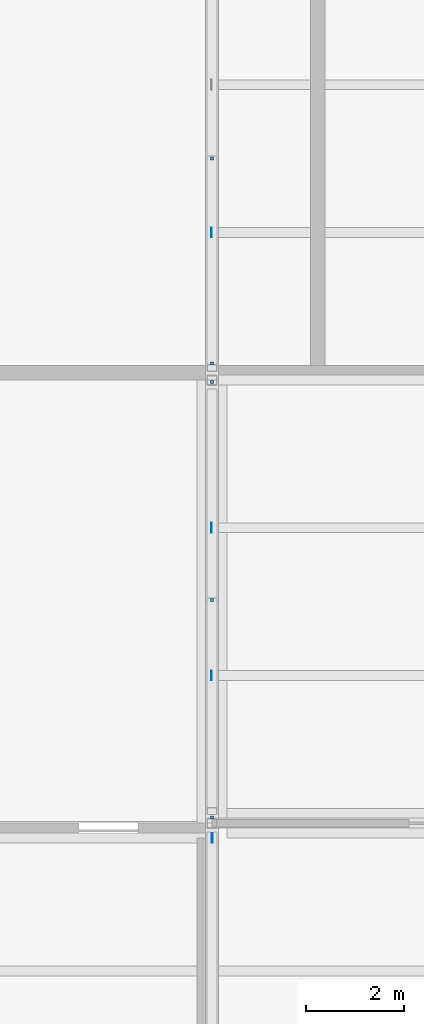
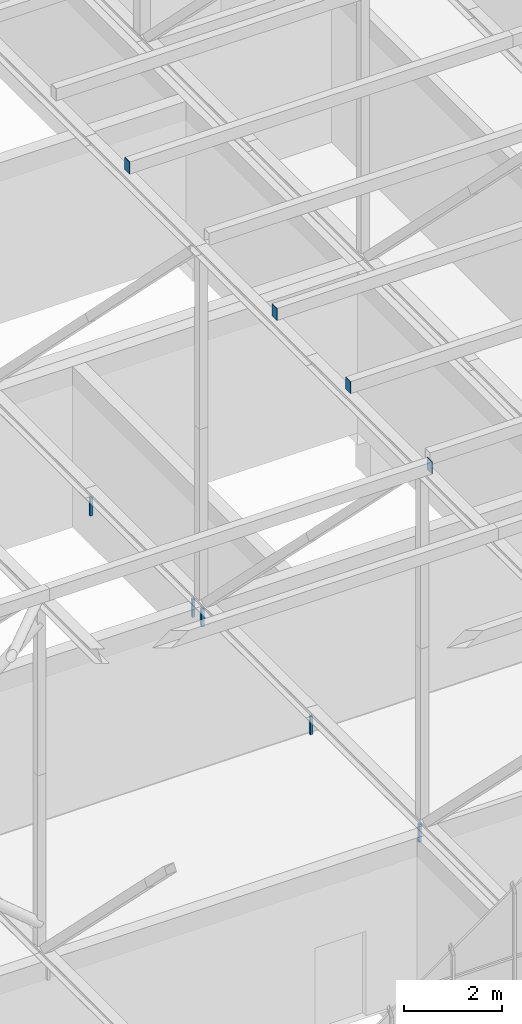
# One storey, part 210 of 646: 9 discrete accessories.
"""IFC4 building model written with IfcOpenShell, lengths in metres."""

import ifcopenshell
import ifcopenshell.guid

model = None  # the IFC model being written
_history = None  # IfcOwnerHistory: only IFC2X3 demands one
_inside = {}  # id of a spatial element -> (the spatial element, [elements in it])
_under = {}  # id of a project, library or spatial element -> (it, [spatial elements below it])
_declared = {}  # id of a project -> (the project, [libraries it declares])
_typed = {}  # id of a type object -> (the type object, [elements of that type])
_made_of = {}  # id of a material, layer set ... -> (it, [elements and type objects made of it])


def new_model(schema):
    """Start an empty IFC model of exactly this schema.

    Asked for "IFC4X3", IfcOpenShell would pick the latest addendum, in which some entities
    have other attributes; the version numbers below select the first issue.
    IFC2X3 requires an IfcOwnerHistory on every rooted entity: one is made here for all.
    """
    global model, _history
    if schema == "IFC4X3":
        model = ifcopenshell.file(schema_version=(4, 3, 0, 0))
    else:
        model = ifcopenshell.file(schema=schema)
    _inside.clear()
    _under.clear()
    _declared.clear()
    _typed.clear()
    _made_of.clear()
    _history = None
    if model.schema == "IFC2X3":
        org = make("IfcOrganization", Name="unknown")
        user = make(
            "IfcPersonAndOrganization",
            ThePerson=make("IfcPerson", FamilyName="unknown"),
            TheOrganization=org,
        )
        app = make(
            "IfcApplication",
            ApplicationDeveloper=org,
            Version="unknown",
            ApplicationFullName="unknown",
            ApplicationIdentifier="unknown",
        )
        _history = make(
            "IfcOwnerHistory",
            OwningUser=user,
            OwningApplication=app,
            ChangeAction="ADDED",
            CreationDate=0,
        )
    return model


def make(cls, **values):
    """One entity of the class cls with the attributes given. An attribute that is None is left unset."""
    return model.create_entity(
        cls, **{name: value for name, value in values.items() if value is not None}
    )


def rooted(cls, **values):
    """An entity with a GlobalId (a new one), such as an element, a storey or a relation."""
    return make(cls, GlobalId=ifcopenshell.guid.new(), OwnerHistory=_history, **values)


def si_unit(unit_type, name, prefix=None):
    """IfcSIUnit, for example si_unit("LENGTHUNIT", "METRE", prefix="MILLI")."""
    return make("IfcSIUnit", UnitType=unit_type, Prefix=prefix, Name=name)


def assignment(units):
    """IfcUnitAssignment: the units of a project."""
    return None if units is None else make("IfcUnitAssignment", Units=units)


def point(xyz):
    """IfcCartesianPoint."""
    return None if xyz is None else make("IfcCartesianPoint", Coordinates=xyz)


def direction(xyz):
    """IfcDirection."""
    return None if xyz is None else make("IfcDirection", DirectionRatios=xyz)


def frame(location, z_axis=None, x_axis=None):
    """IfcAxis2Placement3D, a coordinate frame: its origin and axes. An axis left out is left unset."""
    return make(
        "IfcAxis2Placement3D",
        Location=point(location),
        Axis=direction(z_axis),
        RefDirection=direction(x_axis),
    )


def frame_2d(location, x_axis=None):
    """IfcAxis2Placement2D, a coordinate frame in the plane: its origin and x axis."""
    return make(
        "IfcAxis2Placement2D", Location=point(location), RefDirection=direction(x_axis)
    )


def origin():
    """The frame at (0, 0, 0) with its axes left unset."""
    return frame((0.0, 0.0, 0.0))


def origin_2d():
    """The frame at (0, 0) in the plane with its x axis left unset."""
    return frame_2d((0.0, 0.0))


def place(relative_to, where):
    """IfcLocalPlacement: puts the frame where relative to a parent placement (None: the world)."""
    return make(
        "IfcLocalPlacement", PlacementRelTo=relative_to, RelativePlacement=where
    )


def context(
    kind, dimensions, precision=None, world=None, true_north=None, identifier=None
):
    """IfcGeometricRepresentationContext, for example the 3D "Model" context."""
    return make(
        "IfcGeometricRepresentationContext",
        ContextIdentifier=identifier,
        ContextType=kind,
        CoordinateSpaceDimension=dimensions,
        Precision=precision,
        WorldCoordinateSystem=world,
        TrueNorth=true_north,
    )


def subcontext(parent, identifier, kind, view, scale=None):
    """IfcGeometricRepresentationSubContext, for example "Body" below "Model"."""
    return make(
        "IfcGeometricRepresentationSubContext",
        ContextIdentifier=identifier,
        ContextType=kind,
        ParentContext=parent,
        TargetScale=scale,
        TargetView=view,
    )


def project(units=None, contexts=None):
    """IfcProject with its units and contexts."""
    return rooted(
        "IfcProject",
        Name="project",
        RepresentationContexts=contexts,
        UnitsInContext=assignment(units),
    )


def spatial(cls, under=None, at=None, **own):
    """A site, building, storey or space (cls), placed at a placement, below another one or the project."""
    s = rooted(cls, ObjectPlacement=at, **own)
    if under is not None:
        _under.setdefault(under.id(), (under, []))[1].append(s)
    return s


def profile(cls, at=None, kind="AREA", **sizes):
    """A parametric profile (cls). Its sizes go by their IFC names, for example OverallWidth=200.0."""
    return make(cls, ProfileType=kind, Position=at, **sizes)


def rectangle(**sizes):
    """IfcRectangleProfileDef."""
    return profile("IfcRectangleProfileDef", **sizes)


def extrude(swept, where, along, depth):
    """IfcExtrudedAreaSolid: the profile swept, set in the frame where, extruded along a direction by depth."""
    return make(
        "IfcExtrudedAreaSolid",
        SweptArea=swept,
        Position=where,
        ExtrudedDirection=direction(along),
        Depth=depth,
    )


def shape(context_of_items, identifier, shape_type, items):
    """IfcShapeRepresentation: the items that make up one representation, for example the "Body"."""
    return make(
        "IfcShapeRepresentation",
        ContextOfItems=context_of_items,
        RepresentationIdentifier=identifier,
        RepresentationType=shape_type,
        Items=items,
    )


def material(Name=None, Category=None):
    """IfcMaterial."""
    return make("IfcMaterial", Name=Name, Category=Category)


def layer(
    of_material, thickness, ventilated=None, Name=None, Category=None, Priority=None
):
    """IfcMaterialLayer: one layer of a wall or slab, of a material (None: an air gap)."""
    return make(
        "IfcMaterialLayer",
        Material=of_material,
        LayerThickness=thickness,
        IsVentilated=ventilated,
        Name=Name,
        Category=Category,
        Priority=Priority,
    )


def layer_set(layers, Name=None):
    """IfcMaterialLayerSet."""
    return make("IfcMaterialLayerSet", MaterialLayers=layers, LayerSetName=Name)


def made_of(thing, what):
    """Note that an element or type object is made of a material, layer set ...; save() writes the relation."""
    if what is not None:
        _made_of.setdefault(what.id(), (what, []))[1].append(thing)
    return thing


def type_object(cls, material=None, **own):
    """A type object (cls), such as IfcWallType, which elements share."""
    return made_of(rooted(cls, **own), material)


def element(
    cls,
    number,
    at=None,
    inside=None,
    cuts=None,
    type_object=None,
    material=None,
    context=None,
    identifier="Body",
    shape_type=None,
    held_by="IfcProductDefinitionShape",
    body=None,
    shapes=None,
    **own,
):
    """One element of the class cls, such as IfcWall. Its Tag is "e" and its number.

    at: its placement. inside: the storey or other place that contains it. cuts: it is an
    opening in that element (IfcRelVoidsElement). A single representation is given by context,
    identifier, shape_type and body (its items); several are given by shapes. held_by: the class
    of the entity that holds the representations. save() writes the other relations.
    """
    e = rooted(cls, Tag="e%d" % number, ObjectPlacement=at, **own)
    if body is not None:
        shapes = [shape(context, identifier, shape_type, body)]
    if shapes is not None:
        e.Representation = make(held_by, Representations=shapes)
    if inside is not None:
        _inside.setdefault(inside.id(), (inside, []))[1].append(e)
    if cuts is not None:
        rooted(
            "IfcRelVoidsElement", RelatingBuildingElement=cuts, RelatedOpeningElement=e
        )
    if type_object is not None:
        _typed.setdefault(type_object.id(), (type_object, []))[1].append(e)
    return made_of(e, material)


def aggregate(whole, parts):
    """IfcRelAggregates: a whole, such as a stair, and the parts it consists of."""
    return rooted("IfcRelAggregates", RelatingObject=whole, RelatedObjects=parts)


def save(model, path):
    """Write the relations noted so far, then the file.

    IfcRelAggregates (storeys below a building ...), IfcRelContainedInSpatialStructure (elements
    in a storey), IfcRelDefinesByType, IfcRelAssociatesMaterial and IfcRelDeclares: one each for
    every whole, place, type object, material and project.
    """
    for whole, parts in _under.values():
        aggregate(whole, parts)
    for where, things in _inside.values():
        rooted(
            "IfcRelContainedInSpatialStructure",
            RelatedElements=things,
            RelatingStructure=where,
        )
    for kind, things in _typed.values():
        rooted("IfcRelDefinesByType", RelatedObjects=things, RelatingType=kind)
    for what, things in _made_of.values():
        rooted("IfcRelAssociatesMaterial", RelatedObjects=things, RelatingMaterial=what)
    for by, libraries in _declared.values():
        rooted("IfcRelDeclares", RelatingContext=by, RelatedDefinitions=libraries)
    model.write(path)


model = new_model("IFC4")

# Units and contexts
model_context = context("Model", 3, precision=1e-05, world=origin(), true_north=direction((0.0, 1.0)))
body_context = subcontext(model_context, "Body", "Model", "MODEL_VIEW")
ifc_project = project(units=[si_unit("LENGTHUNIT", "METRE"), si_unit("AREAUNIT", "SQUARE_METRE"), si_unit("VOLUMEUNIT", "CUBIC_METRE"), si_unit("PLANEANGLEUNIT", "RADIAN"), si_unit("MASSUNIT", "GRAM", prefix="KILO")], contexts=[model_context])

# Site, building, storey
site_placement = place(None, origin())
site = spatial("IfcSite", under=ifc_project, at=site_placement, CompositionType="ELEMENT")
building_placement = place(site_placement, origin())
building = spatial("IfcBuilding", under=site, at=building_placement, Name="Silverbay Arena", CompositionType="ELEMENT")
storey_placement = place(building_placement, frame((0.0, 0.0, 33.5)))
storey = spatial("IfcBuildingStorey", under=building, at=storey_placement, Name="L05", CompositionType="ELEMENT", Elevation=33.5)

# Discrete accessories
ifc_material_1 = material(Name="Steel S355", Category="steel")
discrete_accessory_type_1 = type_object("IfcDiscreteAccessoryType", Name="Ceiling hanger", PredefinedType="BRACKET", material=ifc_material_1)
for number, where, z_axis, x_axis, name in (
    (1, (180.0, 27.114990234375, 3.5498046875), (0.0, 0.0, 1.0), (1.0, 0.0, 0.0), "Ceiling hanger"),
    (2, (180.0, 31.5380859375, 3.5498046875), (0.0, 0.0, 1.0), (1.0, 0.0, 0.0), "Ceiling hanger"),
    (3, (180.0, 35.9599609375, 3.5498046875), (0.0, 0.0, 1.0), (1.0, 0.0, 0.0), "Ceiling hanger"),
    (4, (180.0, 36.340087890625, 3.5498046875), (0.0, 0.0, 1.0), (1.0, 0.0, 0.0), "Ceiling hanger"),
    (5, (180.0, 40.5, 3.5498046875), (0.0, 0.0, 1.0), (1.0, 0.0, 0.0), "Ceiling hanger"),
):
    element("IfcDiscreteAccessory", number, at=place(storey_placement, frame(where, z_axis=z_axis, x_axis=x_axis)), inside=storey, type_object=discrete_accessory_type_1, Name=name, PredefinedType="BRACKET", context=body_context, shape_type="SweptSolid", body=[
        extrude(rectangle(XDim=0.06005859375, YDim=0.06005859375, at=origin_2d()), origin(), (0.0, 0.0, 1.0), 0.449951171875),
    ])
ifc_material_2 = material(Name="Steel S355", Category="steel")
ifc_layer = layer(ifc_material_2, 0.011962890625)
ifc_layer_set = layer_set([ifc_layer], Name="Steel S355")
discrete_accessory_type_2 = type_object("IfcDiscreteAccessoryType", Name="Purlin end plate 12", PredefinedType="USERDEFINED", material=ifc_layer_set)
for number, where, z_axis, x_axis, name in (
    (6, (180.0, 30.0, 13.14990234375), (-1.0, 0.0, 0.0), (0.0, -1.0, 0.0), "Purlin end plate"),
    (7, (180.0, 33.0, 13.14990234375), (-1.0, 0.0, 0.0), (0.0, -1.0, 0.0), "Purlin end plate"),
    (8, (180.0, 39.0, 13.14990234375), (-1.0, 0.0, 0.0), (0.0, -1.0, 0.0), "Purlin end plate"),
    (9, (180.0, 26.699951171875, 13.14990234375), (1.0, 0.0, 0.0), (0.0, 1.0, 0.0), "Purlin end plate"),
):
    element("IfcDiscreteAccessory", number, at=place(storey_placement, frame(where, z_axis=z_axis, x_axis=x_axis)), inside=storey, type_object=discrete_accessory_type_2, Name=name, ObjectType="END PLATE", PredefinedType="USERDEFINED", context=body_context, shape_type="SweptSolid", body=[
        extrude(rectangle(XDim=0.199951171875, YDim=0.300048828125, at=origin_2d()), origin(), (0.0, 0.0, 1.0), 0.011962890625),
    ])

save(model, "model.ifc")
